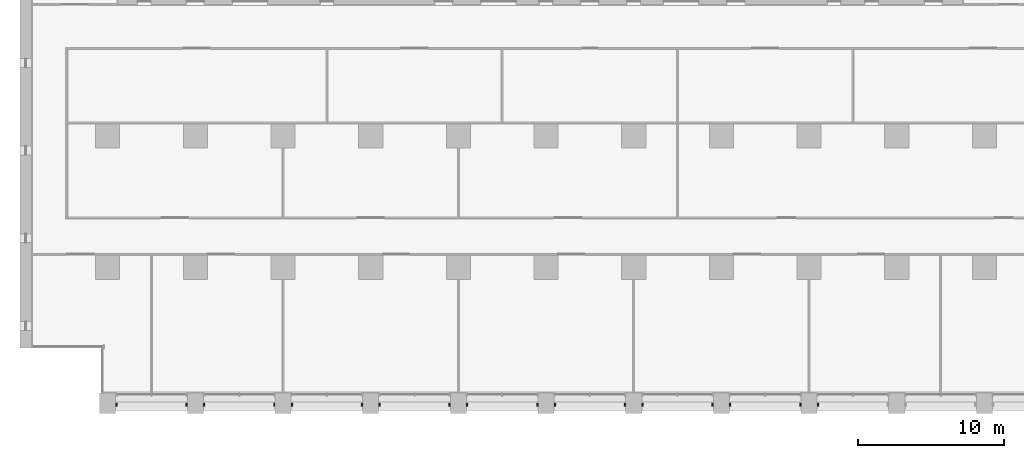
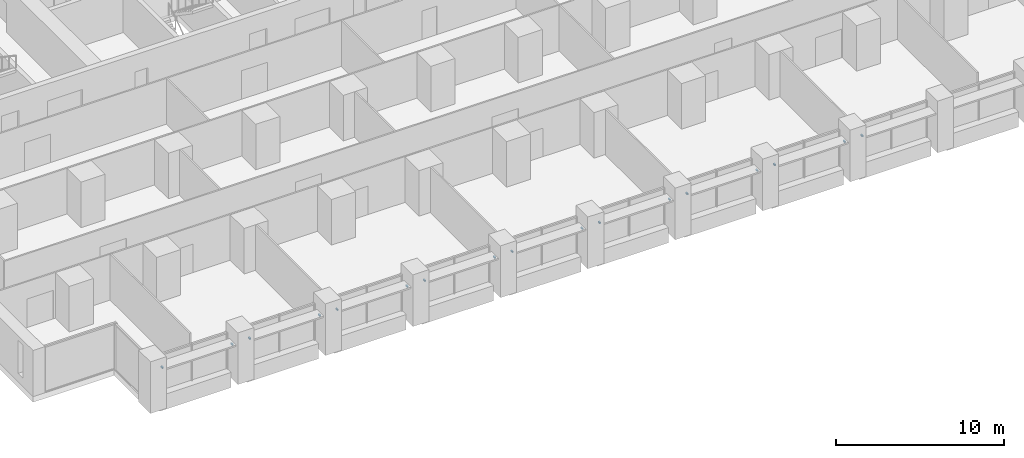
# One storey, part 15 of 18: 17 discrete accessories.
"""IFC4 building model written with IfcOpenShell, lengths in metres."""

import ifcopenshell
import ifcopenshell.guid

model = None  # the IFC model being written
_history = None  # IfcOwnerHistory: only IFC2X3 demands one
_inside = {}  # id of a spatial element -> (the spatial element, [elements in it])
_under = {}  # id of a project, library or spatial element -> (it, [spatial elements below it])
_declared = {}  # id of a project -> (the project, [libraries it declares])
_typed = {}  # id of a type object -> (the type object, [elements of that type])
_made_of = {}  # id of a material, layer set ... -> (it, [elements and type objects made of it])


def new_model(schema):
    """Start an empty IFC model of exactly this schema.

    Asked for "IFC4X3", IfcOpenShell would pick the latest addendum, in which some entities
    have other attributes; the version numbers below select the first issue.
    IFC2X3 requires an IfcOwnerHistory on every rooted entity: one is made here for all.
    """
    global model, _history
    if schema == "IFC4X3":
        model = ifcopenshell.file(schema_version=(4, 3, 0, 0))
    else:
        model = ifcopenshell.file(schema=schema)
    _inside.clear()
    _under.clear()
    _declared.clear()
    _typed.clear()
    _made_of.clear()
    _history = None
    if model.schema == "IFC2X3":
        org = make("IfcOrganization", Name="unknown")
        user = make(
            "IfcPersonAndOrganization",
            ThePerson=make("IfcPerson", FamilyName="unknown"),
            TheOrganization=org,
        )
        app = make(
            "IfcApplication",
            ApplicationDeveloper=org,
            Version="unknown",
            ApplicationFullName="unknown",
            ApplicationIdentifier="unknown",
        )
        _history = make(
            "IfcOwnerHistory",
            OwningUser=user,
            OwningApplication=app,
            ChangeAction="ADDED",
            CreationDate=0,
        )
    return model


def make(cls, **values):
    """One entity of the class cls with the attributes given. An attribute that is None is left unset."""
    return model.create_entity(
        cls, **{name: value for name, value in values.items() if value is not None}
    )


def rooted(cls, **values):
    """An entity with a GlobalId (a new one), such as an element, a storey or a relation."""
    return make(cls, GlobalId=ifcopenshell.guid.new(), OwnerHistory=_history, **values)


def si_unit(unit_type, name, prefix=None):
    """IfcSIUnit, for example si_unit("LENGTHUNIT", "METRE", prefix="MILLI")."""
    return make("IfcSIUnit", UnitType=unit_type, Prefix=prefix, Name=name)


def assignment(units):
    """IfcUnitAssignment: the units of a project."""
    return None if units is None else make("IfcUnitAssignment", Units=units)


def point(xyz):
    """IfcCartesianPoint."""
    return None if xyz is None else make("IfcCartesianPoint", Coordinates=xyz)


def direction(xyz):
    """IfcDirection."""
    return None if xyz is None else make("IfcDirection", DirectionRatios=xyz)


def frame(location, z_axis=None, x_axis=None):
    """IfcAxis2Placement3D, a coordinate frame: its origin and axes. An axis left out is left unset."""
    return make(
        "IfcAxis2Placement3D",
        Location=point(location),
        Axis=direction(z_axis),
        RefDirection=direction(x_axis),
    )


def frame_2d(location, x_axis=None):
    """IfcAxis2Placement2D, a coordinate frame in the plane: its origin and x axis."""
    return make(
        "IfcAxis2Placement2D", Location=point(location), RefDirection=direction(x_axis)
    )


def origin():
    """The frame at (0, 0, 0) with its axes left unset."""
    return frame((0.0, 0.0, 0.0))


def origin_2d():
    """The frame at (0, 0) in the plane with its x axis left unset."""
    return frame_2d((0.0, 0.0))


def place(relative_to, where):
    """IfcLocalPlacement: puts the frame where relative to a parent placement (None: the world)."""
    return make(
        "IfcLocalPlacement", PlacementRelTo=relative_to, RelativePlacement=where
    )


def context(
    kind, dimensions, precision=None, world=None, true_north=None, identifier=None
):
    """IfcGeometricRepresentationContext, for example the 3D "Model" context."""
    return make(
        "IfcGeometricRepresentationContext",
        ContextIdentifier=identifier,
        ContextType=kind,
        CoordinateSpaceDimension=dimensions,
        Precision=precision,
        WorldCoordinateSystem=world,
        TrueNorth=true_north,
    )


def subcontext(parent, identifier, kind, view, scale=None):
    """IfcGeometricRepresentationSubContext, for example "Body" below "Model"."""
    return make(
        "IfcGeometricRepresentationSubContext",
        ContextIdentifier=identifier,
        ContextType=kind,
        ParentContext=parent,
        TargetScale=scale,
        TargetView=view,
    )


def project(units=None, contexts=None):
    """IfcProject with its units and contexts."""
    return rooted(
        "IfcProject",
        Name="project",
        RepresentationContexts=contexts,
        UnitsInContext=assignment(units),
    )


def spatial(cls, under=None, at=None, **own):
    """A site, building, storey or space (cls), placed at a placement, below another one or the project."""
    s = rooted(cls, ObjectPlacement=at, **own)
    if under is not None:
        _under.setdefault(under.id(), (under, []))[1].append(s)
    return s


def profile(cls, at=None, kind="AREA", **sizes):
    """A parametric profile (cls). Its sizes go by their IFC names, for example OverallWidth=200.0."""
    return make(cls, ProfileType=kind, Position=at, **sizes)


def rectangle(**sizes):
    """IfcRectangleProfileDef."""
    return profile("IfcRectangleProfileDef", **sizes)


def extrude(swept, where, along, depth):
    """IfcExtrudedAreaSolid: the profile swept, set in the frame where, extruded along a direction by depth."""
    return make(
        "IfcExtrudedAreaSolid",
        SweptArea=swept,
        Position=where,
        ExtrudedDirection=direction(along),
        Depth=depth,
    )


def shape(context_of_items, identifier, shape_type, items):
    """IfcShapeRepresentation: the items that make up one representation, for example the "Body"."""
    return make(
        "IfcShapeRepresentation",
        ContextOfItems=context_of_items,
        RepresentationIdentifier=identifier,
        RepresentationType=shape_type,
        Items=items,
    )


def made_of(thing, what):
    """Note that an element or type object is made of a material, layer set ...; save() writes the relation."""
    if what is not None:
        _made_of.setdefault(what.id(), (what, []))[1].append(thing)
    return thing


def element(
    cls,
    number,
    at=None,
    inside=None,
    cuts=None,
    type_object=None,
    material=None,
    context=None,
    identifier="Body",
    shape_type=None,
    held_by="IfcProductDefinitionShape",
    body=None,
    shapes=None,
    **own,
):
    """One element of the class cls, such as IfcWall. Its Tag is "e" and its number.

    at: its placement. inside: the storey or other place that contains it. cuts: it is an
    opening in that element (IfcRelVoidsElement). A single representation is given by context,
    identifier, shape_type and body (its items); several are given by shapes. held_by: the class
    of the entity that holds the representations. save() writes the other relations.
    """
    e = rooted(cls, Tag="e%d" % number, ObjectPlacement=at, **own)
    if body is not None:
        shapes = [shape(context, identifier, shape_type, body)]
    if shapes is not None:
        e.Representation = make(held_by, Representations=shapes)
    if inside is not None:
        _inside.setdefault(inside.id(), (inside, []))[1].append(e)
    if cuts is not None:
        rooted(
            "IfcRelVoidsElement", RelatingBuildingElement=cuts, RelatedOpeningElement=e
        )
    if type_object is not None:
        _typed.setdefault(type_object.id(), (type_object, []))[1].append(e)
    return made_of(e, material)


def aggregate(whole, parts):
    """IfcRelAggregates: a whole, such as a stair, and the parts it consists of."""
    return rooted("IfcRelAggregates", RelatingObject=whole, RelatedObjects=parts)


def save(model, path):
    """Write the relations noted so far, then the file.

    IfcRelAggregates (storeys below a building ...), IfcRelContainedInSpatialStructure (elements
    in a storey), IfcRelDefinesByType, IfcRelAssociatesMaterial and IfcRelDeclares: one each for
    every whole, place, type object, material and project.
    """
    for whole, parts in _under.values():
        aggregate(whole, parts)
    for where, things in _inside.values():
        rooted(
            "IfcRelContainedInSpatialStructure",
            RelatedElements=things,
            RelatingStructure=where,
        )
    for kind, things in _typed.values():
        rooted("IfcRelDefinesByType", RelatedObjects=things, RelatingType=kind)
    for what, things in _made_of.values():
        rooted("IfcRelAssociatesMaterial", RelatedObjects=things, RelatingMaterial=what)
    for by, libraries in _declared.values():
        rooted("IfcRelDeclares", RelatingContext=by, RelatedDefinitions=libraries)
    model.write(path)


model = new_model("IFC4")

# Units and contexts
model_context = context("Model", 3, precision=1e-05, world=origin(), true_north=direction((0.0, 1.0)))
body_context = subcontext(model_context, "Body", "Model", "MODEL_VIEW")
ifc_project = project(units=[si_unit("LENGTHUNIT", "METRE"), si_unit("AREAUNIT", "SQUARE_METRE"), si_unit("VOLUMEUNIT", "CUBIC_METRE"), si_unit("PLANEANGLEUNIT", "RADIAN"), si_unit("MASSUNIT", "GRAM", prefix="KILO")], contexts=[model_context])

# Site, building, storey
site_placement = place(None, origin())
site = spatial("IfcSite", under=ifc_project, at=site_placement, CompositionType="ELEMENT")
building_placement = place(site_placement, origin())
building = spatial("IfcBuilding", under=site, at=building_placement, Name="Calvaro Tower", CompositionType="ELEMENT")
storey_placement = place(building_placement, frame((0.0, 0.0, 56.25)))
storey = spatial("IfcBuildingStorey", under=building, at=storey_placement, Name="L13", CompositionType="ELEMENT", Elevation=56.25)

# Discrete accessories
for number, where, z_axis, x_axis, name in (
    (1, (6.60009765625, 0.60009765625, 2.14990234375), (0.0, 0.0, 1.0), (1.0, 0.0, 0.0), "Brise-soleil bracket"),
    (2, (11.39990234375, 0.60009765625, 2.14990234375), (0.0, 0.0, 1.0), (1.0, 0.0, 0.0), "Brise-soleil bracket"),
    (3, (12.60009765625, 0.60009765625, 2.14990234375), (0.0, 0.0, 1.0), (1.0, 0.0, 0.0), "Brise-soleil bracket"),
    (4, (17.39990234375, 0.60009765625, 2.14990234375), (0.0, 0.0, 1.0), (1.0, 0.0, 0.0), "Brise-soleil bracket"),
    (5, (18.60009765625, 0.60009765625, 2.14990234375), (0.0, 0.0, 1.0), (1.0, 0.0, 0.0), "Brise-soleil bracket"),
    (6, (23.39990234375, 0.60009765625, 2.14990234375), (0.0, 0.0, 1.0), (1.0, 0.0, 0.0), "Brise-soleil bracket"),
    (7, (24.60009765625, 0.60009765625, 2.14990234375), (0.0, 0.0, 1.0), (1.0, 0.0, 0.0), "Brise-soleil bracket"),
    (8, (29.39990234375, 0.60009765625, 2.14990234375), (0.0, 0.0, 1.0), (1.0, 0.0, 0.0), "Brise-soleil bracket"),
    (9, (30.60009765625, 0.60009765625, 2.14990234375), (0.0, 0.0, 1.0), (1.0, 0.0, 0.0), "Brise-soleil bracket"),
    (10, (35.39990234375, 0.60009765625, 2.14990234375), (0.0, 0.0, 1.0), (1.0, 0.0, 0.0), "Brise-soleil bracket"),
    (11, (36.60009765625, 0.60009765625, 2.14990234375), (0.0, 0.0, 1.0), (1.0, 0.0, 0.0), "Brise-soleil bracket"),
    (12, (41.39990234375, 0.60009765625, 2.14990234375), (0.0, 0.0, 1.0), (1.0, 0.0, 0.0), "Brise-soleil bracket"),
    (13, (42.60009765625, 0.60009765625, 2.14990234375), (0.0, 0.0, 1.0), (1.0, 0.0, 0.0), "Brise-soleil bracket"),
    (14, (47.39990234375, 0.60009765625, 2.14990234375), (0.0, 0.0, 1.0), (1.0, 0.0, 0.0), "Brise-soleil bracket"),
    (15, (48.60009765625, 0.60009765625, 2.14990234375), (0.0, 0.0, 1.0), (1.0, 0.0, 0.0), "Brise-soleil bracket"),
    (16, (53.39990234375, 0.60009765625, 2.14990234375), (0.0, 0.0, 1.0), (1.0, 0.0, 0.0), "Brise-soleil bracket"),
    (17, (54.60009765625, 0.60009765625, 2.14990234375), (0.0, 0.0, 1.0), (1.0, 0.0, 0.0), "Brise-soleil bracket"),
):
    element("IfcDiscreteAccessory", number, at=place(storey_placement, frame(where, z_axis=z_axis, x_axis=x_axis)), inside=storey, Name=name, PredefinedType="BRACKET", context=body_context, shape_type="SweptSolid", body=[
        extrude(rectangle(XDim=0.10009765625, YDim=0.199951171875, at=origin_2d()), origin(), (0.0, 0.0, 1.0), 0.10009765625),
    ])

save(model, "model.ifc")
